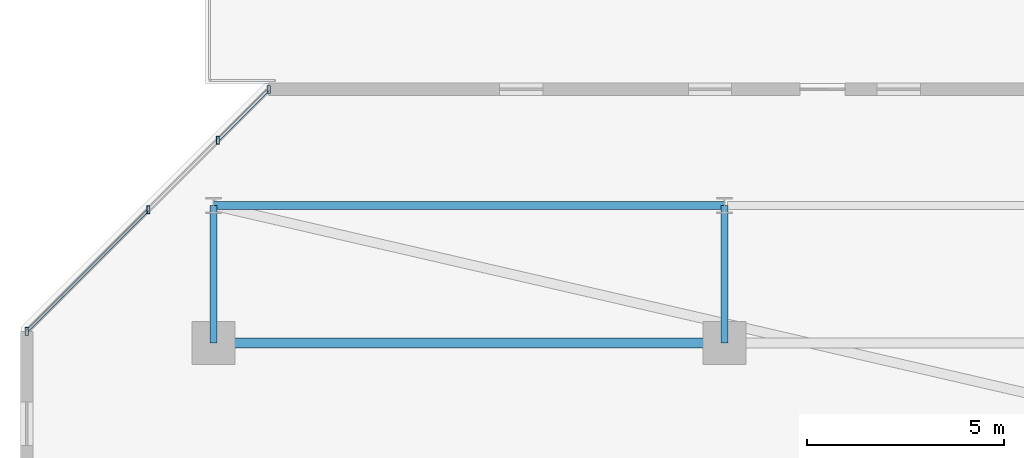
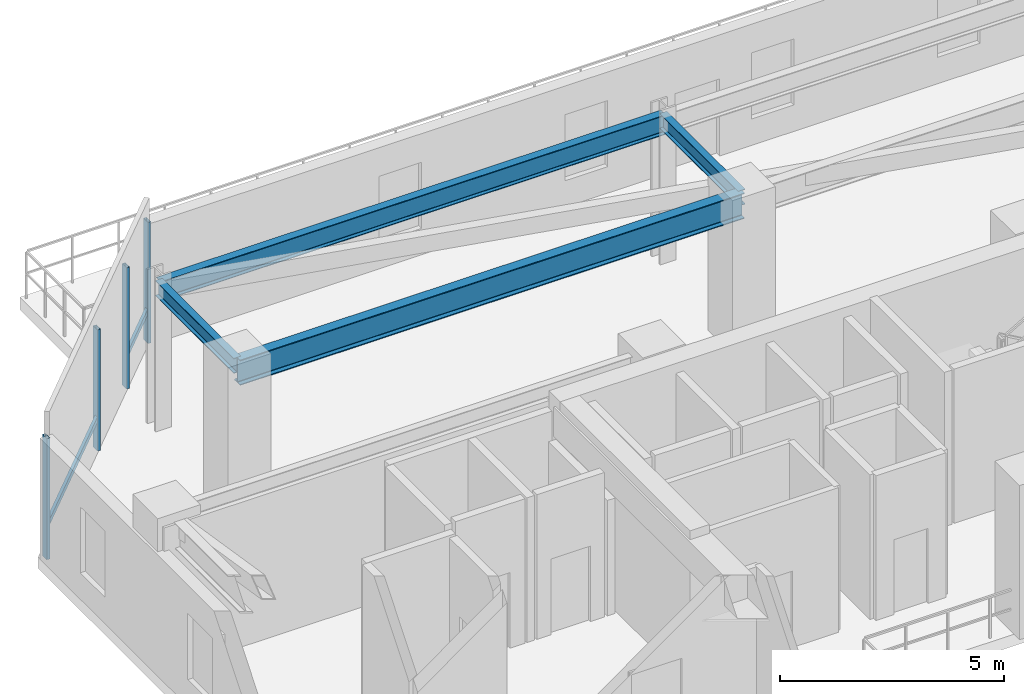
# One storey, part 8 of 33: 6 members, 4 beams, 2 elements without a shape of their own.
"""IFC4 building model written with IfcOpenShell, lengths in metres."""

from ifc_helpers import new_model, si_unit, direction, frame, origin, origin_2d, place, context, subcontext, project, spatial, hollow_rectangle, i_section, extrude, material, material_profile, profile_set, type_object, element, aggregate, save


model = new_model("IFC4")

# Units and contexts
model_context = context("Model", 3, precision=1e-05, world=origin(), true_north=direction((0.0, 1.0)))
body_context = subcontext(model_context, "Body", "Model", "MODEL_VIEW")
ifc_project = project(units=[si_unit("LENGTHUNIT", "METRE"), si_unit("AREAUNIT", "SQUARE_METRE"), si_unit("VOLUMEUNIT", "CUBIC_METRE"), si_unit("PLANEANGLEUNIT", "RADIAN"), si_unit("MASSUNIT", "GRAM", prefix="KILO")], contexts=[model_context])

# Site, building, storey
site_placement = place(None, origin())
site = spatial("IfcSite", under=ifc_project, at=site_placement, CompositionType="ELEMENT")
building_placement = place(site_placement, origin())
building = spatial("IfcBuilding", under=site, at=building_placement, Name="Thornwick Lancets Civic Towers", CompositionType="ELEMENT")
storey_placement = place(building_placement, frame((0.0, 0.0, 174.300048828125)))
storey = spatial("IfcBuildingStorey", under=building, at=storey_placement, Name="L46", CompositionType="ELEMENT", Elevation=174.300048828125)

# Beams
ifc_material_1 = material(Name="Steel S355JR", Category="steel")
ifc_material_profile_1 = material_profile(ifc_material_1, i_section(OverallWidth=0.210693359375, OverallDepth=0.53955078125, WebThickness=0.01171875, FlangeThickness=0.018798828125, FilletRadius=0.0126953125, at=origin_2d()), Name="UKB 533x210x109")
ifc_profile_set_1 = profile_set([ifc_material_profile_1], Name="Steel S355JR")
beam_type_1 = type_object("IfcBeamType", Name="BM_EDGE_533_109", PredefinedType="SPANDREL", material=ifc_profile_set_1)
beam_1_placement = place(storey_placement, frame((12.5, 47.800048828125, 3.690185546875), z_axis=(1.0, 0.0, 0.0), x_axis=(0.0, 1.0, 0.0)))
element("IfcBeam", 1, at=beam_1_placement, inside=storey, type_object=beam_type_1, Name="BM-EDGE-L46-A-S2-1", PredefinedType="SPANDREL", context=body_context, shape_type="SweptSolid", body=[
    extrude(i_section(OverallWidth=0.210693359375, OverallDepth=0.53955078125, WebThickness=0.01171875, FlangeThickness=0.018798828125, FilletRadius=0.0126953125, at=origin_2d()), origin(), (0.0, 0.0, 1.0), 13.0),
])
ifc_material_profile_2 = material_profile(ifc_material_1, i_section(OverallWidth=0.255859375, OverallDepth=0.69287109375, WebThickness=0.014404296875, FlangeThickness=0.023681640625, FilletRadius=0.01513671875, at=origin_2d()), Name="UKB 686x254x170")
ifc_profile_set_2 = profile_set([ifc_material_profile_2], Name="Steel S355JR")
beam_type_2 = type_object("IfcBeamType", Name="BM_GIRD_686_170", PredefinedType="BEAM", material=ifc_profile_set_2)
beam_2_placement = place(storey_placement, frame((12.5, 44.300048828125, 3.613525390625), z_axis=(1.0, 0.0, 0.0), x_axis=(0.0, 1.0, 0.0)))
element("IfcBeam", 2, at=beam_2_placement, inside=storey, type_object=beam_type_2, Name="BM-SPINE-L46-A-6-7", PredefinedType="BEAM", context=body_context, shape_type="SweptSolid", body=[
    extrude(i_section(OverallWidth=0.255859375, OverallDepth=0.69287109375, WebThickness=0.014404296875, FlangeThickness=0.023681640625, FilletRadius=0.01513671875, at=origin_2d()), origin(), (0.0, 0.0, 1.0), 13.0),
])
ifc_material_profile_3 = material_profile(ifc_material_1, i_section(OverallWidth=0.179443359375, OverallDepth=0.412841796875, WebThickness=0.009521484375, FlangeThickness=0.01611328125, FilletRadius=0.01025390625, at=origin_2d()), Name="UKB 406x178x74")
ifc_profile_set_3 = profile_set([ifc_material_profile_3], Name="Steel S355JR")
beam_type_3 = type_object("IfcBeamType", Name="BM_JOIST_406_74", PredefinedType="JOIST", material=ifc_profile_set_3)
for number, where, z_axis, x_axis, name in (
    (3, (12.5, 44.300048828125, 3.753662109375), (0.0, 1.0, 0.0), (-1.0, 0.0, 0.0), "BM-RAD-L46-A07"),
    (4, (25.5, 44.300048828125, 3.753662109375), (0.0, 1.0, 0.0), (-1.0, 0.0, 0.0), "BM-RAD-L46-A08"),
):
    element("IfcBeam", number, at=place(storey_placement, frame(where, z_axis=z_axis, x_axis=x_axis)), inside=storey, type_object=beam_type_3, Name=name, PredefinedType="JOIST", context=body_context, shape_type="SweptSolid", body=[
        extrude(i_section(OverallWidth=0.179443359375, OverallDepth=0.412841796875, WebThickness=0.009521484375, FlangeThickness=0.01611328125, FilletRadius=0.01025390625, at=origin_2d()), origin(), (0.0, 0.0, 1.0), 3.5),
    ])

# Curtain wall, members
ifc_material_2 = material(Name="Mid-zone chamfered-corner unitised glass curtain wall", Category="glass")
curtain_wall_type = type_object("IfcCurtainWallType", Name="CW_SYS_04", PredefinedType="NOTDEFINED", material=ifc_material_2)
curtain_wall_1_placement = place(storey_placement, origin())
curtain_wall_1 = element("IfcCurtainWall", 5, at=curtain_wall_1_placement, inside=storey, type_object=curtain_wall_type, Name="L46 Curtain Wall CW-L46-A-E5-S1", PredefinedType="NOTDEFINED")
ifc_material_3 = material(Name="Thermally broken bronze aluminium S355", Category="steel")
ifc_material_profile_4 = material_profile(ifc_material_3, hollow_rectangle(XDim=0.080078125, YDim=0.199951171875, WallThickness=0.006103515625, at=origin_2d()), Name="RHS 200x80x6")
ifc_profile_set_4 = profile_set([ifc_material_profile_4], Name="Thermally broken bronze aluminium S355")
member_type_1 = type_object("IfcMemberType", Name="CW_MUL_200", PredefinedType="MULLION", material=ifc_profile_set_4)
member_1_placement = place(storey_placement, frame((13.903564453125, 50.752685546875, 0.0), z_axis=(0.0, 0.0, 1.0), x_axis=(1.0, 0.0, 0.0)))
member_1 = element("IfcMember", 6, at=member_1_placement, type_object=member_type_1, Name="CW-L46-A-E5-S1 Mullion 0", PredefinedType="MULLION", context=body_context, shape_type="SweptSolid", body=[
    extrude(hollow_rectangle(XDim=0.080078125, YDim=0.199951171875, WallThickness=0.006103515625, at=origin_2d()), origin(), (0.0, 0.0, 1.0), 3.300048828125),
])
member_2_placement = place(storey_placement, frame((12.609375, 49.45849609375, 0.0), z_axis=(0.0, 0.0, 1.0), x_axis=(1.0, 0.0, 0.0)))
member_2 = element("IfcMember", 7, at=member_2_placement, type_object=member_type_1, Name="CW-L46-A-E5-S1 Mullion 1", PredefinedType="MULLION", context=body_context, shape_type="SweptSolid", body=[
    extrude(hollow_rectangle(XDim=0.080078125, YDim=0.199951171875, WallThickness=0.006103515625, at=origin_2d()), origin(), (0.0, 0.0, 1.0), 3.300048828125),
])

curtain_wall_2_placement = place(storey_placement, origin())
curtain_wall_2 = element("IfcCurtainWall", 8, at=curtain_wall_2_placement, inside=storey, type_object=curtain_wall_type, Name="L46 Curtain Wall CW-L46-A-E5-S2", PredefinedType="NOTDEFINED")
member_3_placement = place(storey_placement, frame((10.841552734375, 47.690673828125, 0.0), z_axis=(0.0, 0.0, 1.0), x_axis=(1.0, 0.0, 0.0)))
member_3 = element("IfcMember", 9, at=member_3_placement, type_object=member_type_1, Name="CW-L46-A-E5-S2 Mullion 0", PredefinedType="MULLION", context=body_context, shape_type="SweptSolid", body=[
    extrude(hollow_rectangle(XDim=0.080078125, YDim=0.199951171875, WallThickness=0.006103515625, at=origin_2d()), origin(), (0.0, 0.0, 1.0), 3.300048828125),
])
member_4_placement = place(storey_placement, frame((7.747314453125, 44.596435546875, 0.0), z_axis=(0.0, 0.0, 1.0), x_axis=(1.0, 0.0, 0.0)))
member_4 = element("IfcMember", 10, at=member_4_placement, type_object=member_type_1, Name="CW-L46-A-E5-S2 Mullion 1", PredefinedType="MULLION", context=body_context, shape_type="SweptSolid", body=[
    extrude(hollow_rectangle(XDim=0.080078125, YDim=0.199951171875, WallThickness=0.006103515625, at=origin_2d()), origin(), (0.0, 0.0, 1.0), 3.300048828125),
])

# Member
ifc_material_profile_5 = material_profile(ifc_material_3, hollow_rectangle(XDim=0.074951171875, YDim=0.14990234375, WallThickness=0.0048828125, at=origin_2d()), Name="RHS 150x75x5")
ifc_profile_set_5 = profile_set([ifc_material_profile_5], Name="Thermally broken bronze aluminium S355")
member_type_2 = type_object("IfcMemberType", Name="CW_TRN_150", PredefinedType="USERDEFINED", material=ifc_profile_set_5)
member_5_placement = place(storey_placement, frame((13.889404296875, 50.73876953125, 0.849853515625), z_axis=(-0.707106781187, -0.707106781187, 0.0), x_axis=(0.707106781187, -0.707106781187, 0.0)))
member_5 = element("IfcMember", 11, at=member_5_placement, type_object=member_type_2, Name="CW-L46-A-E5-S1 Transom 0", ObjectType="TRANSOM", PredefinedType="USERDEFINED", context=body_context, shape_type="SweptSolid", body=[
    extrude(hollow_rectangle(XDim=0.074951171875, YDim=0.14990234375, WallThickness=0.0048828125, at=origin_2d()), origin(), (0.0, 0.0, 1.0), 1.79052734375),
])

aggregate(curtain_wall_1, [member_1, member_2, member_5])

member_6_placement = place(storey_placement, frame((10.827392578125, 47.676513671875, 0.849853515625), z_axis=(-0.707134933144, -0.707078628109, 0.0), x_axis=(0.707078628109, -0.707134933144, 0.0)))
member_6 = element("IfcMember", 12, at=member_6_placement, type_object=member_type_2, Name="CW-L46-A-E5-S2 Transom 0", ObjectType="TRANSOM", PredefinedType="USERDEFINED", context=body_context, shape_type="SweptSolid", body=[
    extrude(hollow_rectangle(XDim=0.074951171875, YDim=0.14990234375, WallThickness=0.0048828125, at=origin_2d()), origin(), (0.0, 0.0, 1.0), 4.3359375),
])

aggregate(curtain_wall_2, [member_3, member_4, member_6])

save(model, "model.ifc")
